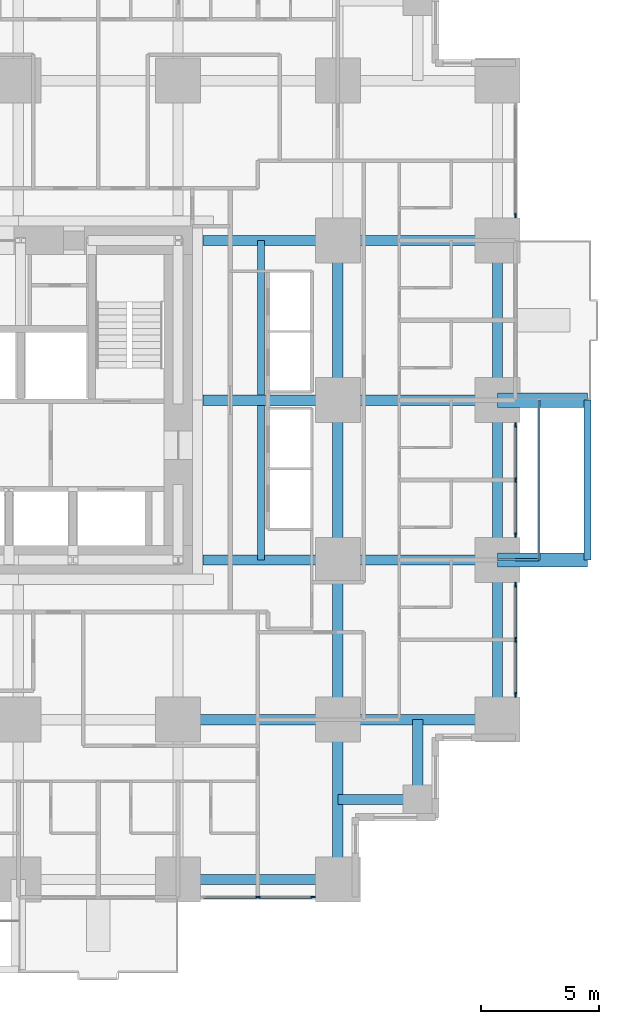
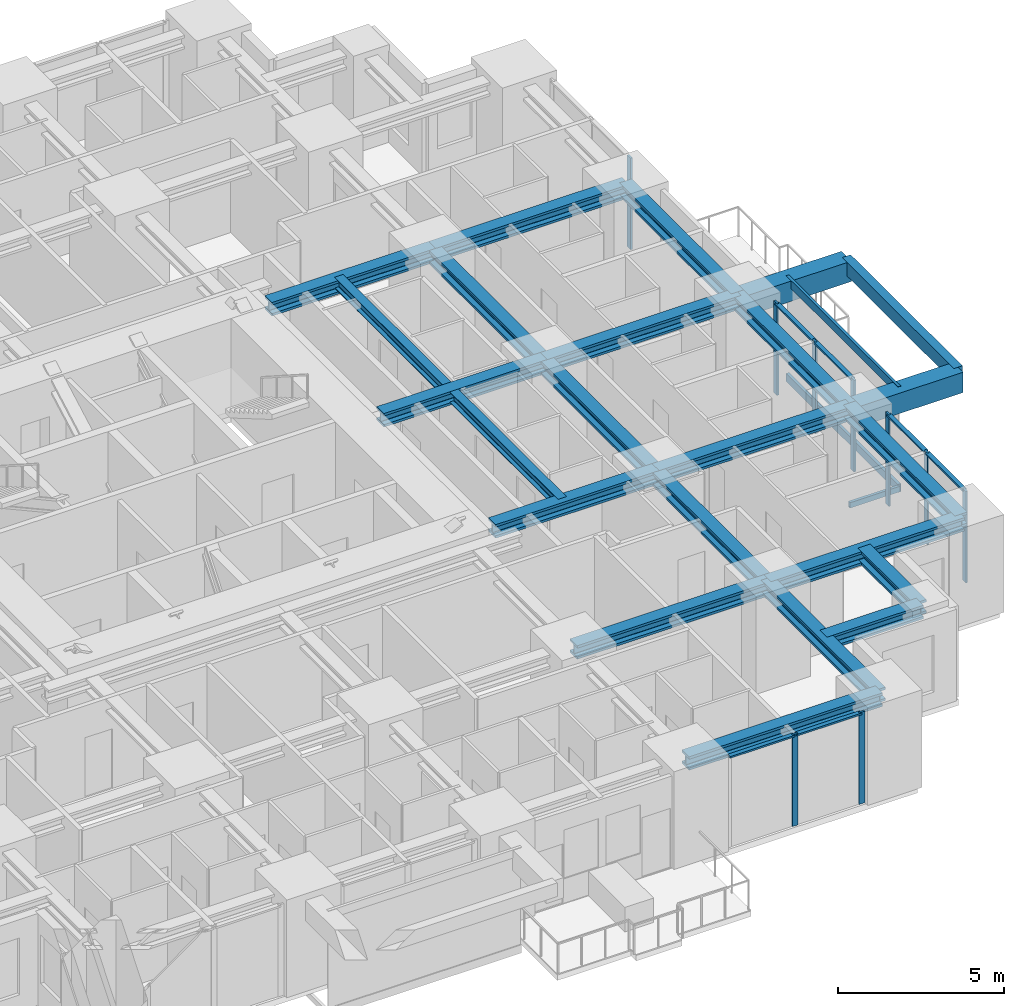
# One storey, part 4 of 15: 23 beams, 18 members, 4 elements without a shape of their own.
"""IFC4 building model written with IfcOpenShell, lengths in metres."""

from ifc_helpers import new_model, si_unit, direction, frame, origin, origin_2d, place, context, subcontext, project, spatial, rectangle, hollow_rectangle, i_section, extrude, material, material_profile, profile_set, type_object, element, aggregate, save


model = new_model("IFC4")

# Units and contexts
model_context = context("Model", 3, precision=1e-05, world=origin(), true_north=direction((0.0, 1.0)))
body_context = subcontext(model_context, "Body", "Model", "MODEL_VIEW")
ifc_project = project(units=[si_unit("LENGTHUNIT", "METRE"), si_unit("AREAUNIT", "SQUARE_METRE"), si_unit("VOLUMEUNIT", "CUBIC_METRE"), si_unit("PLANEANGLEUNIT", "RADIAN"), si_unit("MASSUNIT", "GRAM", prefix="KILO")], contexts=[model_context])

# Site, building, storey
site_placement = place(None, origin())
site = spatial("IfcSite", under=ifc_project, at=site_placement, CompositionType="ELEMENT")
building_placement = place(site_placement, origin())
building = spatial("IfcBuilding", under=site, at=building_placement, Name="Nyansa Garden Tower", CompositionType="ELEMENT")
storey_placement = place(building_placement, frame((0.0, 0.0, 36.0)))
storey = spatial("IfcBuildingStorey", under=building, at=storey_placement, Name="L09", CompositionType="ELEMENT", Elevation=36.0)

# Beams
ifc_material_1 = material(Name="Concrete C70/85", Category="concrete")
ifc_material_profile_1 = material_profile(ifc_material_1, rectangle(XDim=0.60009765625, YDim=0.75, at=origin_2d()), Name="RC 600x750")
ifc_profile_set_1 = profile_set([ifc_material_profile_1], Name="Concrete C70/85")
beam_type_1 = type_object("IfcBeamType", Name="Balcony cantilever beam CB1 RC 600x750", PredefinedType="BEAM", material=ifc_profile_set_1)
for number, where, z_axis, x_axis, name in (
    (1, (40.5, 13.5, 2.985107421875), (1.0, 0.0, 0.0), (0.0, 1.0, 0.0), "Balcony cantilever beam L10"),
    (2, (40.5, 20.25, 2.985107421875), (1.0, 0.0, 0.0), (0.0, 1.0, 0.0), "Balcony cantilever beam L10"),
):
    element("IfcBeam", number, at=place(storey_placement, frame(where, z_axis=z_axis, x_axis=x_axis)), inside=storey, type_object=beam_type_1, Name=name, PredefinedType="BEAM", context=body_context, shape_type="SweptSolid", body=[
        extrude(rectangle(XDim=0.60009765625, YDim=0.75, at=origin_2d()), origin(), (0.0, 0.0, 1.0), 3.800048828125),
    ])
ifc_material_2 = material(Name="Concrete C70/85", Category="concrete")
ifc_material_profile_2 = material_profile(ifc_material_2, rectangle(XDim=0.300048828125, YDim=0.5, at=origin_2d()), Name="RC 300x500")
ifc_profile_set_2 = profile_set([ifc_material_profile_2], Name="Concrete C70/85")
beam_type_2 = type_object("IfcBeamType", Name="Balcony edge beam BE1 RC 300x500", PredefinedType="BEAM", material=ifc_profile_set_2)
beam_1_placement = place(storey_placement, frame((44.300048828125, 13.5, 3.110107421875), z_axis=(0.0, 1.0, 0.0), x_axis=(-1.0, 0.0, 0.0)))
element("IfcBeam", 3, at=beam_1_placement, inside=storey, type_object=beam_type_2, Name="Balcony edge beam L10", PredefinedType="BEAM", context=body_context, shape_type="SweptSolid", body=[
    extrude(rectangle(XDim=0.300048828125, YDim=0.5, at=origin_2d()), origin(), (0.0, 0.0, 1.0), 6.75),
])

# Curtain wall, members
ifc_material_3 = material(Name="Black anodised aluminium, dark tinted double glazing", Category="aluminium")
curtain_wall_type = type_object("IfcCurtainWallType", Name="Inner skin curtain wall ISW-A", PredefinedType="USERDEFINED", material=ifc_material_3)
curtain_wall_1_placement = place(storey_placement, origin())
curtain_wall_1 = element("IfcCurtainWall", 4, at=curtain_wall_1_placement, inside=storey, type_object=curtain_wall_type, Name="Inner skin curtain wall L09 E", ObjectType="UNITISED CURTAIN WALL", PredefinedType="USERDEFINED")
ifc_material_4 = material(Name="Black anodised aluminium", Category="aluminium")
ifc_material_profile_3 = material_profile(ifc_material_4, rectangle(XDim=0.06494140625, YDim=0.199951171875, at=origin_2d()), Name="Mullion 200x65")
ifc_profile_set_3 = profile_set([ifc_material_profile_3], Name="Black anodised aluminium")
member_type_1 = type_object("IfcMemberType", Name="Mullion ISW-A 200x65", PredefinedType="MULLION", material=ifc_profile_set_3)
member_1_placement = place(storey_placement, frame((41.25, 7.800048828125, 0.0), z_axis=(0.0, 0.0, 1.0), x_axis=(-1.0, 0.0, 0.0)))
member_1 = element("IfcMember", 5, at=member_1_placement, type_object=member_type_1, Name="ISW-A mullion 1", PredefinedType="MULLION", context=body_context, shape_type="SweptSolid", body=[
    extrude(rectangle(XDim=0.06494140625, YDim=0.199951171875, at=origin_2d()), origin(), (0.0, 0.0, 1.0), 3.375),
])
member_2_placement = place(storey_placement, frame((41.25, 10.125, 0.0), z_axis=(0.0, 0.0, 1.0), x_axis=(-1.0, 0.0, 0.0)))
member_2 = element("IfcMember", 6, at=member_2_placement, type_object=member_type_1, Name="ISW-A mullion 2", PredefinedType="MULLION", context=body_context, shape_type="SweptSolid", body=[
    extrude(rectangle(XDim=0.06494140625, YDim=0.199951171875, at=origin_2d()), origin(), (0.0, 0.0, 1.0), 3.375),
])
member_3_placement = place(storey_placement, frame((41.25, 12.449951171875, 0.0), z_axis=(0.0, 0.0, 1.0), x_axis=(-1.0, 0.0, 0.0)))
member_3 = element("IfcMember", 7, at=member_3_placement, type_object=member_type_1, Name="ISW-A mullion 3", PredefinedType="MULLION", context=body_context, shape_type="SweptSolid", body=[
    extrude(rectangle(XDim=0.06494140625, YDim=0.199951171875, at=origin_2d()), origin(), (0.0, 0.0, 1.0), 3.375),
])

curtain_wall_2_placement = place(storey_placement, origin())
curtain_wall_2 = element("IfcCurtainWall", 8, at=curtain_wall_2_placement, inside=storey, type_object=curtain_wall_type, Name="Inner skin curtain wall L09 E", ObjectType="UNITISED CURTAIN WALL", PredefinedType="USERDEFINED")
member_4_placement = place(storey_placement, frame((41.25, 14.550048828125, 0.0), z_axis=(0.0, 0.0, 1.0), x_axis=(-1.0, 0.0, 0.0)))
member_4 = element("IfcMember", 9, at=member_4_placement, type_object=member_type_1, Name="ISW-A mullion 1", PredefinedType="MULLION", context=body_context, shape_type="SweptSolid", body=[
    extrude(rectangle(XDim=0.06494140625, YDim=0.199951171875, at=origin_2d()), origin(), (0.0, 0.0, 1.0), 3.375),
])
member_5_placement = place(storey_placement, frame((41.25, 16.875, 0.0), z_axis=(0.0, 0.0, 1.0), x_axis=(-1.0, 0.0, 0.0)))
member_5 = element("IfcMember", 10, at=member_5_placement, type_object=member_type_1, Name="ISW-A mullion 2", PredefinedType="MULLION", context=body_context, shape_type="SweptSolid", body=[
    extrude(rectangle(XDim=0.06494140625, YDim=0.199951171875, at=origin_2d()), origin(), (0.0, 0.0, 1.0), 3.375),
])
member_6_placement = place(storey_placement, frame((41.25, 19.199951171875, 0.0), z_axis=(0.0, 0.0, 1.0), x_axis=(-1.0, 0.0, 0.0)))
member_6 = element("IfcMember", 11, at=member_6_placement, type_object=member_type_1, Name="ISW-A mullion 3", PredefinedType="MULLION", context=body_context, shape_type="SweptSolid", body=[
    extrude(rectangle(XDim=0.06494140625, YDim=0.199951171875, at=origin_2d()), origin(), (0.0, 0.0, 1.0), 3.375),
])

# Curtain wall, member
curtain_wall_3_placement = place(storey_placement, origin())
curtain_wall_3 = element("IfcCurtainWall", 12, at=curtain_wall_3_placement, inside=storey, type_object=curtain_wall_type, Name="Inner skin curtain wall L09 E", ObjectType="UNITISED CURTAIN WALL", PredefinedType="USERDEFINED")
member_7_placement = place(storey_placement, frame((41.25, 28.050048828125, 0.0), z_axis=(0.0, 0.0, 1.0), x_axis=(-1.0, 0.0, 0.0)))
member_7 = element("IfcMember", 13, at=member_7_placement, type_object=member_type_1, Name="ISW-A mullion 1", PredefinedType="MULLION", context=body_context, shape_type="SweptSolid", body=[
    extrude(rectangle(XDim=0.06494140625, YDim=0.199951171875, at=origin_2d()), origin(), (0.0, 0.0, 1.0), 3.375),
])
aggregate(curtain_wall_3, [member_7])

# Curtain wall, members
curtain_wall_4_placement = place(storey_placement, origin())
curtain_wall_4 = element("IfcCurtainWall", 14, at=curtain_wall_4_placement, inside=storey, type_object=curtain_wall_type, Name="Inner skin curtain wall L09 S", ObjectType="UNITISED CURTAIN WALL", PredefinedType="USERDEFINED")
member_8_placement = place(storey_placement, frame((30.375, -0.75, 0.0), z_axis=(0.0, 0.0, 1.0), x_axis=(0.0, 1.0, 0.0)))
member_8 = element("IfcMember", 15, at=member_8_placement, type_object=member_type_1, Name="ISW-A mullion 2", PredefinedType="MULLION", context=body_context, shape_type="SweptSolid", body=[
    extrude(rectangle(XDim=0.06494140625, YDim=0.199951171875, at=origin_2d()), origin(), (0.0, 0.0, 1.0), 3.375),
])
member_9_placement = place(storey_placement, frame((32.699951171875, -0.75, 0.0), z_axis=(0.0, 0.0, 1.0), x_axis=(0.0, 1.0, 0.0)))
member_9 = element("IfcMember", 16, at=member_9_placement, type_object=member_type_1, Name="ISW-A mullion 3", PredefinedType="MULLION", context=body_context, shape_type="SweptSolid", body=[
    extrude(rectangle(XDim=0.06494140625, YDim=0.199951171875, at=origin_2d()), origin(), (0.0, 0.0, 1.0), 3.375),
])

# Members
ifc_material_5 = material(Name="Steel S355, black powder coated", Category="steel")
ifc_material_profile_4 = material_profile(ifc_material_5, hollow_rectangle(XDim=0.10009765625, YDim=0.199951171875, WallThickness=0.008056640625, at=origin_2d()), Name="RHS 200x100x8")
ifc_profile_set_4 = profile_set([ifc_material_profile_4], Name="Steel S355, black powder coated")
member_type_2 = type_object("IfcMemberType", Name="Outer skin bracket arm RHS 200x100x8", PredefinedType="USERDEFINED", material=ifc_profile_set_4)
member_10_placement = place(storey_placement, frame((40.5, 13.5, -0.375), z_axis=(1.0, 0.0, 0.0), x_axis=(0.0, 1.0, 0.0)))
element("IfcMember", 17, at=member_10_placement, inside=storey, type_object=member_type_2, Name="Outer skin bracket arm", ObjectType="OUTER SKIN BRACKET", PredefinedType="USERDEFINED", context=body_context, shape_type="SweptSolid", body=[
    extrude(hollow_rectangle(XDim=0.10009765625, YDim=0.199951171875, WallThickness=0.008056640625, at=origin_2d()), origin(), (0.0, 0.0, 1.0), 1.75),
])
ifc_material_6 = material(Name="Steel S355, black powder coated", Category="steel")
ifc_material_profile_5 = material_profile(ifc_material_6, hollow_rectangle(XDim=0.10009765625, YDim=0.300048828125, WallThickness=0.010009765625, at=origin_2d()), Name="RHS 300x100x10")
ifc_profile_set_5 = profile_set([ifc_material_profile_5], Name="Steel S355, black powder coated")
member_type_3 = type_object("IfcMemberType", Name="Outer skin rail RHS 300x100x10", PredefinedType="USERDEFINED", material=ifc_profile_set_5)
for number, where, z_axis, x_axis, name in (
    (18, (42.25, 13.5, -0.375), (0.0, 1.0, 0.0), (-1.0, 0.0, 0.0), "Outer skin rail L09"),
    (19, (42.25, 13.5, 3.22509765625), (0.0, 1.0, 0.0), (-1.0, 0.0, 0.0), "Outer skin rail L09 head"),
):
    element("IfcMember", number, at=place(storey_placement, frame(where, z_axis=z_axis, x_axis=x_axis)), inside=storey, type_object=member_type_3, Name=name, ObjectType="OUTER SKIN RAIL", PredefinedType="USERDEFINED", context=body_context, shape_type="SweptSolid", body=[
        extrude(hollow_rectangle(XDim=0.10009765625, YDim=0.300048828125, WallThickness=0.010009765625, at=origin_2d()), origin(), (0.0, 0.0, 1.0), 6.75),
    ])

# Beams
ifc_material_7 = material(Name="Steel S355", Category="steel")
ifc_material_profile_6 = material_profile(ifc_material_7, i_section(OverallWidth=0.431884765625, OverallDepth=0.498046875, WebThickness=0.0556640625, FlangeThickness=0.0888671875, FilletRadius=0.014892578125, at=origin_2d()), Name="HD 400x744")
ifc_profile_set_6 = profile_set([ifc_material_profile_6], Name="Steel S355")
beam_type_3 = type_object("IfcBeamType", Name="Steel beam SBA1-744 HD 400x744", PredefinedType="BEAM", material=ifc_profile_set_6)
beam_2_placement = place(storey_placement, frame((27.0, 6.75, 3.1259765625), z_axis=(1.0, 0.0, 0.0), x_axis=(0.0, 1.0, 0.0)))
element("IfcBeam", 20, at=beam_2_placement, inside=storey, type_object=beam_type_3, Name="Steel beam 6/E-7/E L10", PredefinedType="BEAM", context=body_context, shape_type="SweptSolid", body=[
    extrude(i_section(OverallWidth=0.431884765625, OverallDepth=0.498046875, WebThickness=0.0556640625, FlangeThickness=0.0888671875, FilletRadius=0.014892578125, at=origin_2d()), origin(), (0.0, 0.0, 1.0), 6.75),
])
for number, where, z_axis, x_axis, name in (
    (21, (28.050048828125, 13.5, 3.1259765625), (1.0, 0.0, 0.0), (0.0, 1.0, 0.0), "Steel beam 28.050/F-7/F L10"),
    (22, (28.050048828125, 20.25, 3.1259765625), (1.0, 0.0, 0.0), (0.0, 1.0, 0.0), "Steel beam 28.050/G-7/G L10"),
    (23, (28.050048828125, 27.0, 3.1259765625), (1.0, 0.0, 0.0), (0.0, 1.0, 0.0), "Steel beam 28.050/H-7/H L10"),
):
    element("IfcBeam", number, at=place(storey_placement, frame(where, z_axis=z_axis, x_axis=x_axis)), inside=storey, type_object=beam_type_3, Name=name, PredefinedType="BEAM", context=body_context, shape_type="SweptSolid", body=[
        extrude(i_section(OverallWidth=0.431884765625, OverallDepth=0.498046875, WebThickness=0.0556640625, FlangeThickness=0.0888671875, FilletRadius=0.014892578125, at=origin_2d()), origin(), (0.0, 0.0, 1.0), 5.699951171875),
    ])
for number, where, z_axis, x_axis, name in (
    (24, (33.75, 0.0, 3.1259765625), (0.0, 1.0, 0.0), (-1.0, 0.0, 0.0), "Steel beam 7/D-7/E L10"),
    (25, (33.75, 6.75, 3.1259765625), (0.0, 1.0, 0.0), (-1.0, 0.0, 0.0), "Steel beam 7/E-7/F L10"),
    (26, (33.75, 6.75, 3.1259765625), (1.0, 0.0, 0.0), (0.0, 1.0, 0.0), "Steel beam 7/E-8/E L10"),
    (27, (33.75, 13.5, 3.1259765625), (0.0, 1.0, 0.0), (-1.0, 0.0, 0.0), "Steel beam 7/F-7/G L10"),
    (28, (33.75, 13.5, 3.1259765625), (1.0, 0.0, 0.0), (0.0, 1.0, 0.0), "Steel beam 7/F-8/F L10"),
    (29, (33.75, 20.25, 3.1259765625), (0.0, 1.0, 0.0), (-1.0, 0.0, 0.0), "Steel beam 7/G-7/H L10"),
    (30, (33.75, 20.25, 3.1259765625), (1.0, 0.0, 0.0), (0.0, 1.0, 0.0), "Steel beam 7/G-8/G L10"),
    (31, (33.75, 27.0, 3.1259765625), (1.0, 0.0, 0.0), (0.0, 1.0, 0.0), "Steel beam 7/H-8/H L10"),
):
    element("IfcBeam", number, at=place(storey_placement, frame(where, z_axis=z_axis, x_axis=x_axis)), inside=storey, type_object=beam_type_3, Name=name, PredefinedType="BEAM", context=body_context, shape_type="SweptSolid", body=[
        extrude(i_section(OverallWidth=0.431884765625, OverallDepth=0.498046875, WebThickness=0.0556640625, FlangeThickness=0.0888671875, FilletRadius=0.014892578125, at=origin_2d()), origin(), (0.0, 0.0, 1.0), 6.75),
    ])
ifc_material_8 = material(Name="Steel S355", Category="steel")
ifc_material_profile_7 = material_profile(ifc_material_8, i_section(OverallWidth=0.431884765625, OverallDepth=0.498046875, WebThickness=0.0556640625, FlangeThickness=0.0888671875, FilletRadius=0.014892578125, at=origin_2d()), Name="HD 400x744")
ifc_profile_set_7 = profile_set([ifc_material_profile_7], Name="Steel S355")
beam_type_4 = type_object("IfcBeamType", Name="Steel beam SEBA-744 HD 400x744", PredefinedType="BEAM", material=ifc_profile_set_7)
for number, where, z_axis, x_axis, name in (
    (32, (27.0, 0.0, 3.1259765625), (1.0, 0.0, 0.0), (0.0, 1.0, 0.0), "Steel edge beam 6/D-7/D L10"),
    (33, (40.5, 6.75, 3.1259765625), (0.0, 1.0, 0.0), (-1.0, 0.0, 0.0), "Steel edge beam 8/E-8/F L10"),
    (34, (40.5, 13.5, 3.1259765625), (0.0, 1.0, 0.0), (-1.0, 0.0, 0.0), "Steel edge beam 8/F-8/G L10"),
    (35, (40.5, 20.25, 3.1259765625), (0.0, 1.0, 0.0), (-1.0, 0.0, 0.0), "Steel edge beam 8/G-8/H L10"),
):
    element("IfcBeam", number, at=place(storey_placement, frame(where, z_axis=z_axis, x_axis=x_axis)), inside=storey, type_object=beam_type_4, Name=name, PredefinedType="BEAM", context=body_context, shape_type="SweptSolid", body=[
        extrude(i_section(OverallWidth=0.431884765625, OverallDepth=0.498046875, WebThickness=0.0556640625, FlangeThickness=0.0888671875, FilletRadius=0.014892578125, at=origin_2d()), origin(), (0.0, 0.0, 1.0), 6.75),
    ])
ifc_material_9 = material(Name="Steel S355", Category="steel")
ifc_material_profile_8 = material_profile(ifc_material_9, i_section(OverallWidth=0.431884765625, OverallDepth=0.498046875, WebThickness=0.0556640625, FlangeThickness=0.0888671875, FilletRadius=0.014892578125, at=origin_2d()), Name="HD 400x744")
ifc_profile_set_8 = profile_set([ifc_material_profile_8], Name="Steel S355")
beam_type_5 = type_object("IfcBeamType", Name="Steel beam SSB1-744 HD 400x744", PredefinedType="BEAM", material=ifc_profile_set_8)
for number, where, z_axis, x_axis, name in (
    (36, (37.125, 3.375, 3.1259765625), (0.0, 1.0, 0.0), (-1.0, 0.0, 0.0), "Steel step beam 37.125/3.375 L10"),
    (37, (37.125, 3.375, 3.1259765625), (-1.0, 0.0, 0.0), (0.0, -1.0, 0.0), "Steel step beam 37.125/3.375 L10"),
):
    element("IfcBeam", number, at=place(storey_placement, frame(where, z_axis=z_axis, x_axis=x_axis)), inside=storey, type_object=beam_type_5, Name=name, PredefinedType="BEAM", context=body_context, shape_type="SweptSolid", body=[
        extrude(i_section(OverallWidth=0.431884765625, OverallDepth=0.498046875, WebThickness=0.0556640625, FlangeThickness=0.0888671875, FilletRadius=0.014892578125, at=origin_2d()), origin(), (0.0, 0.0, 1.0), 3.375),
    ])

# Member
ifc_material_10 = material(Name="Black anodised aluminium", Category="aluminium")
ifc_material_profile_9 = material_profile(ifc_material_10, rectangle(XDim=0.14990234375, YDim=0.06494140625, at=origin_2d()), Name="Transom 150x65")
ifc_profile_set_9 = profile_set([ifc_material_profile_9], Name="Black anodised aluminium")
member_type_4 = type_object("IfcMemberType", Name="Transom ISW-A 150x65", PredefinedType="USERDEFINED", material=ifc_profile_set_9)
member_11_placement = place(storey_placement, frame((41.25, 7.83251953125, 3.342529296875), z_axis=(0.0, 1.0, 0.0), x_axis=(-1.0, 0.0, 0.0)))
member_11 = element("IfcMember", 38, at=member_11_placement, type_object=member_type_4, Name="ISW-A transom 1", ObjectType="TRANSOM", PredefinedType="USERDEFINED", context=body_context, shape_type="SweptSolid", body=[
    extrude(rectangle(XDim=0.14990234375, YDim=0.06494140625, at=origin_2d()), origin(), (0.0, 0.0, 1.0), 2.260009765625),
])

member_12_placement = place(storey_placement, frame((41.25, 10.157470703125, 3.342529296875), z_axis=(0.0, 1.0, 0.0), x_axis=(-1.0, 0.0, 0.0)))
member_12 = element("IfcMember", 39, at=member_12_placement, type_object=member_type_4, Name="ISW-A transom 2", ObjectType="TRANSOM", PredefinedType="USERDEFINED", context=body_context, shape_type="SweptSolid", body=[
    extrude(rectangle(XDim=0.14990234375, YDim=0.06494140625, at=origin_2d()), origin(), (0.0, 0.0, 1.0), 2.260009765625),
])

aggregate(curtain_wall_1, [member_1, member_2, member_3, member_11, member_12])

member_13_placement = place(storey_placement, frame((41.25, 14.58251953125, 3.342529296875), z_axis=(0.0, 1.0, 0.0), x_axis=(-1.0, 0.0, 0.0)))
member_13 = element("IfcMember", 40, at=member_13_placement, type_object=member_type_4, Name="ISW-A transom 1", ObjectType="TRANSOM", PredefinedType="USERDEFINED", context=body_context, shape_type="SweptSolid", body=[
    extrude(rectangle(XDim=0.14990234375, YDim=0.06494140625, at=origin_2d()), origin(), (0.0, 0.0, 1.0), 2.260009765625),
])

member_14_placement = place(storey_placement, frame((41.25, 16.907470703125, 3.342529296875), z_axis=(0.0, 1.0, 0.0), x_axis=(-1.0, 0.0, 0.0)))
member_14 = element("IfcMember", 41, at=member_14_placement, type_object=member_type_4, Name="ISW-A transom 2", ObjectType="TRANSOM", PredefinedType="USERDEFINED", context=body_context, shape_type="SweptSolid", body=[
    extrude(rectangle(XDim=0.14990234375, YDim=0.06494140625, at=origin_2d()), origin(), (0.0, 0.0, 1.0), 2.260009765625),
])

aggregate(curtain_wall_2, [member_4, member_5, member_6, member_13, member_14])

member_15_placement = place(storey_placement, frame((28.08251953125, -0.75, 3.342529296875), z_axis=(1.0, 0.0, 0.0), x_axis=(0.0, 1.0, 0.0)))
member_15 = element("IfcMember", 42, at=member_15_placement, type_object=member_type_4, Name="ISW-A transom 1", ObjectType="TRANSOM", PredefinedType="USERDEFINED", context=body_context, shape_type="SweptSolid", body=[
    extrude(rectangle(XDim=0.14990234375, YDim=0.06494140625, at=origin_2d()), origin(), (0.0, 0.0, 1.0), 2.260009765625),
])

member_16_placement = place(storey_placement, frame((30.407470703125, -0.75, 3.342529296875), z_axis=(1.0, 0.0, 0.0), x_axis=(0.0, 1.0, 0.0)))
member_16 = element("IfcMember", 43, at=member_16_placement, type_object=member_type_4, Name="ISW-A transom 2", ObjectType="TRANSOM", PredefinedType="USERDEFINED", context=body_context, shape_type="SweptSolid", body=[
    extrude(rectangle(XDim=0.14990234375, YDim=0.06494140625, at=origin_2d()), origin(), (0.0, 0.0, 1.0), 2.260009765625),
])

aggregate(curtain_wall_4, [member_8, member_9, member_15, member_16])

# Beams
ifc_material_11 = material(Name="Steel S355", Category="steel")
ifc_material_profile_10 = material_profile(ifc_material_11, i_section(OverallWidth=0.300048828125, OverallDepth=0.39990234375, WebThickness=0.013427734375, FlangeThickness=0.02392578125, FilletRadius=0.027099609375, at=origin_2d()), Name="HE 400 B")
ifc_profile_set_10 = profile_set([ifc_material_profile_10], Name="Steel S355")
beam_type_6 = type_object("IfcBeamType", Name="Trimmer beam TR1 HE 400 B", PredefinedType="BEAM", material=ifc_profile_set_10)
for number, where, z_axis, x_axis, name in (
    (44, (30.5, 13.5, 3.175048828125), (0.0, 1.0, 0.0), (-1.0, 0.0, 0.0), "Trimmer beam 1 L10"),
    (45, (30.5, 20.466064453125, 3.175048828125), (0.0, 1.0, 0.0), (-1.0, 0.0, 0.0), "Trimmer beam 2 L10"),
):
    element("IfcBeam", number, at=place(storey_placement, frame(where, z_axis=z_axis, x_axis=x_axis)), inside=storey, type_object=beam_type_6, Name=name, PredefinedType="BEAM", context=body_context, shape_type="SweptSolid", body=[
        extrude(i_section(OverallWidth=0.300048828125, OverallDepth=0.39990234375, WebThickness=0.013427734375, FlangeThickness=0.02392578125, FilletRadius=0.027099609375, at=origin_2d()), origin(), (0.0, 0.0, 1.0), 6.533935546875),
    ])

save(model, "model.ifc")
